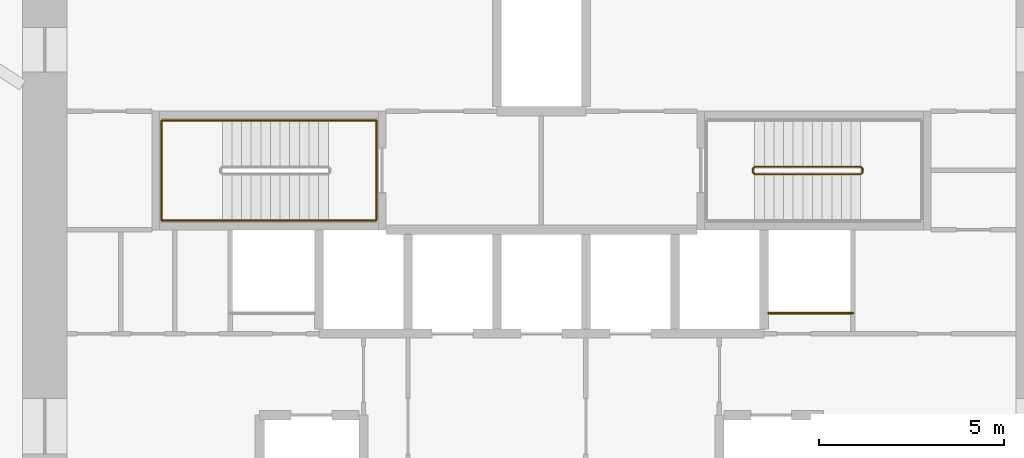
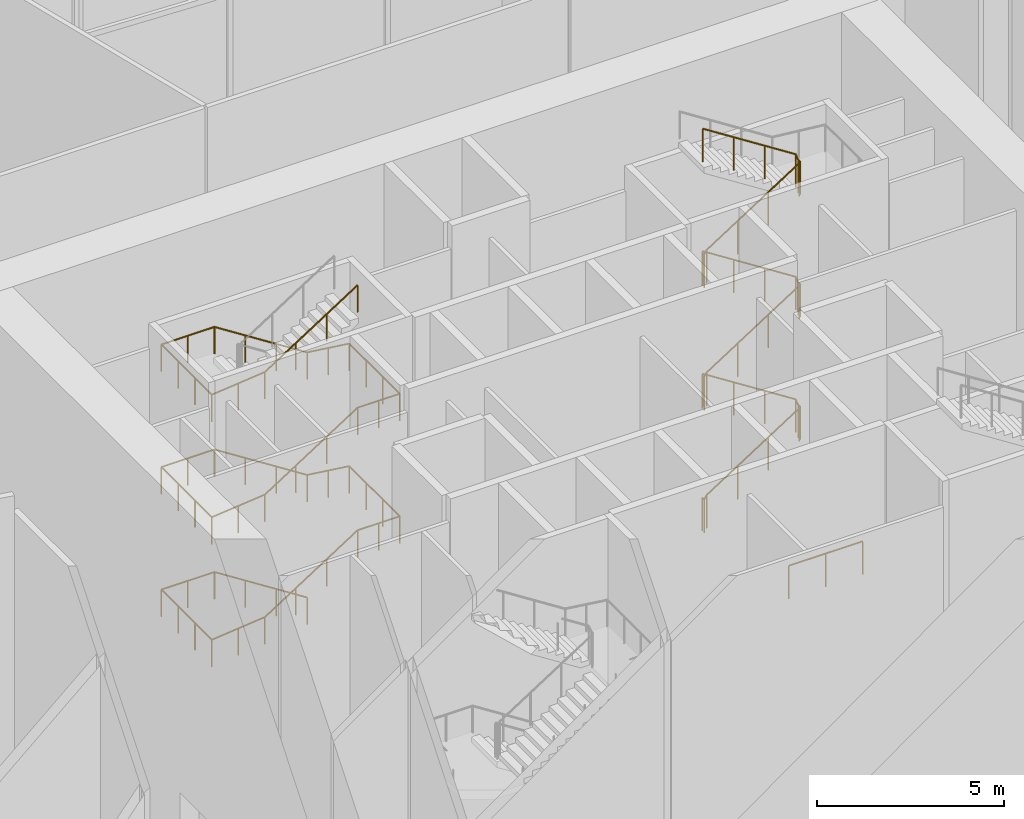
# One storey, part 18 of 21: 3 railings.
"""IFC4 building model written with IfcOpenShell, lengths in metres."""

from ifc_helpers import new_model, si_unit, direction, frame, origin, origin_2d, place, context, subcontext, project, spatial, circle, extrude, source, transform, mapped, material, type_object, element, save


model = new_model("IFC4")

# Units and contexts
model_context = context("Model", 3, precision=1e-05, world=origin(), true_north=direction((0.0, 1.0)))
body_context = subcontext(model_context, "Body", "Model", "MODEL_VIEW")
ifc_project = project(units=[si_unit("LENGTHUNIT", "METRE"), si_unit("AREAUNIT", "SQUARE_METRE"), si_unit("VOLUMEUNIT", "CUBIC_METRE"), si_unit("PLANEANGLEUNIT", "RADIAN"), si_unit("MASSUNIT", "GRAM", prefix="KILO")], contexts=[model_context])

# Site, building, storey
site_placement = place(None, origin())
site = spatial("IfcSite", under=ifc_project, at=site_placement, CompositionType="ELEMENT")
building_placement = place(site_placement, origin())
building = spatial("IfcBuilding", under=site, at=building_placement, Name="Embergate Tower", CompositionType="ELEMENT")
storey_placement = place(building_placement, frame((0.0, 0.0, 12.0)))
storey = spatial("IfcBuildingStorey", under=building, at=storey_placement, Name="L01", CompositionType="ELEMENT", Elevation=12.0)

# Railings
ifc_material_1 = material(Name="Stair handrail 900")
railing_type_1 = type_object("IfcRailingType", Name="Stair handrail 900", PredefinedType="HANDRAIL", material=ifc_material_1)
shared_shape_1 = source(origin(), body_context, "Body", "SweptSolid", [
    extrude(circle(Radius=0.02392578125, at=origin_2d()), frame((0.0, 0.0, 0.8759765625), z_axis=(-0.841899231129, 0.0, 0.539634769658), x_axis=(0.0, -1.0, 0.0)), (0.0, 0.0, 1.0), 3.397216796875),
    extrude(circle(Radius=0.02392578125, at=origin_2d()), frame((-2.860107421875, 0.0, 2.708984375), z_axis=(-1.0, 0.0, 0.0), x_axis=(0.0, -1.0, 0.0)), (0.0, 0.0, 1.0), 1.639892578125),
    extrude(circle(Radius=0.02392578125, at=origin_2d()), frame((-4.5, 0.0, 2.708984375), z_axis=(0.0, -1.0, 0.0), x_axis=(1.0, 0.0, 0.0)), (0.0, 0.0, 1.0), 2.699951171875),
    extrude(circle(Radius=0.02392578125, at=origin_2d()), frame((-4.5, -2.699951171875, 2.708984375), z_axis=(0.99487010061, 0.0, 0.101160678683), x_axis=(0.0, 1.0, 0.0)), (0.0, 0.0, 1.0), 1.6484375),
    extrude(circle(Radius=0.02392578125, at=origin_2d()), frame((-2.860107421875, -2.699951171875, 2.8759765625), z_axis=(0.841899231129, 0.0, 0.539634769658), x_axis=(0.0, 1.0, 0.0)), (0.0, 0.0, 1.0), 3.397216796875),
    extrude(circle(Radius=0.02392578125, at=origin_2d()), frame((0.0, -2.699951171875, 4.708984375), z_axis=(1.0, 0.0, 0.0), x_axis=(0.0, 1.0, 0.0)), (0.0, 0.0, 1.0), 1.300048828125),
    extrude(circle(Radius=0.02392578125, at=origin_2d()), frame((1.300048828125, -2.699951171875, 4.708984375), z_axis=(0.0, 1.0, 0.0), x_axis=(-1.0, 0.0, 0.0)), (0.0, 0.0, 1.0), 2.699951171875),
    extrude(circle(Radius=0.02392578125, at=origin_2d()), frame((1.300048828125, 0.0, 4.708984375), z_axis=(-0.991874434073, 0.0, 0.12722070206), x_axis=(0.0, -1.0, 0.0)), (0.0, 0.0, 1.0), 1.310791015625),
    extrude(circle(Radius=0.02392578125, at=origin_2d()), frame((0.0, 0.0, 4.8759765625), z_axis=(-0.841899231129, 0.0, 0.539634769658), x_axis=(0.0, -1.0, 0.0)), (0.0, 0.0, 1.0), 3.397216796875),
    extrude(circle(Radius=0.02392578125, at=origin_2d()), frame((-2.860107421875, 0.0, 6.708984375), z_axis=(-1.0, 0.0, 0.0), x_axis=(0.0, -1.0, 0.0)), (0.0, 0.0, 1.0), 1.639892578125),
    extrude(circle(Radius=0.02392578125, at=origin_2d()), frame((-4.5, 0.0, 6.708984375), z_axis=(0.0, -1.0, 0.0), x_axis=(1.0, 0.0, 0.0)), (0.0, 0.0, 1.0), 2.699951171875),
    extrude(circle(Radius=0.02392578125, at=origin_2d()), frame((-4.5, -2.699951171875, 6.708984375), z_axis=(0.99487010061, 0.0, 0.101160678683), x_axis=(0.0, 1.0, 0.0)), (0.0, 0.0, 1.0), 1.6484375),
    extrude(circle(Radius=0.02392578125, at=origin_2d()), frame((-2.860107421875, -2.699951171875, 6.8759765625), z_axis=(0.841899231129, 0.0, 0.539634769658), x_axis=(0.0, 1.0, 0.0)), (0.0, 0.0, 1.0), 3.397216796875),
    extrude(circle(Radius=0.02392578125, at=origin_2d()), frame((0.0, -2.699951171875, 8.708984375), z_axis=(1.0, 0.0, 0.0), x_axis=(0.0, 1.0, 0.0)), (0.0, 0.0, 1.0), 1.300048828125),
    extrude(circle(Radius=0.02392578125, at=origin_2d()), frame((1.300048828125, -2.699951171875, 8.708984375), z_axis=(0.0, 1.0, 0.0), x_axis=(-1.0, 0.0, 0.0)), (0.0, 0.0, 1.0), 2.699951171875),
    extrude(circle(Radius=0.02392578125, at=origin_2d()), frame((1.300048828125, 0.0, 8.708984375), z_axis=(-0.991874434073, 0.0, 0.12722070206), x_axis=(0.0, -1.0, 0.0)), (0.0, 0.0, 1.0), 1.310791015625),
    extrude(circle(Radius=0.02392578125, at=origin_2d()), frame((0.0, 0.0, 8.8759765625), z_axis=(-0.841899231129, 0.0, 0.539634769658), x_axis=(0.0, -1.0, 0.0)), (0.0, 0.0, 1.0), 3.397216796875),
    extrude(circle(Radius=0.02392578125, at=origin_2d()), frame((-2.860107421875, 0.0, 10.708984375), z_axis=(-1.0, 0.0, 0.0), x_axis=(0.0, -1.0, 0.0)), (0.0, 0.0, 1.0), 1.639892578125),
    extrude(circle(Radius=0.02392578125, at=origin_2d()), frame((-4.5, 0.0, 10.708984375), z_axis=(0.0, -1.0, 0.0), x_axis=(1.0, 0.0, 0.0)), (0.0, 0.0, 1.0), 2.699951171875),
    extrude(circle(Radius=0.02392578125, at=origin_2d()), frame((-4.5, -2.699951171875, 10.708984375), z_axis=(0.99487010061, 0.0, 0.101160678683), x_axis=(0.0, 1.0, 0.0)), (0.0, 0.0, 1.0), 1.6484375),
    extrude(circle(Radius=0.02392578125, at=origin_2d()), frame((-2.860107421875, -2.699951171875, 10.8759765625), z_axis=(0.841899231129, 0.0, 0.539634769658), x_axis=(0.0, 1.0, 0.0)), (0.0, 0.0, 1.0), 3.397216796875),
    extrude(circle(Radius=0.02099609375, at=origin_2d()), origin(), (0.0, 0.0, 1.0), 0.851806640625),
    extrude(circle(Radius=0.02099609375, at=origin_2d()), frame((-0.953369140625, 0.0, 0.611083984375)), (0.0, 0.0, 1.0), 0.851806640625),
    extrude(circle(Radius=0.02099609375, at=origin_2d()), frame((-1.90673828125, 0.0, 1.22216796875)), (0.0, 0.0, 1.0), 0.851806640625),
    extrude(circle(Radius=0.02099609375, at=origin_2d()), frame((-2.860107421875, 0.0, 1.833251953125)), (0.0, 0.0, 1.0), 0.851806640625),
    extrude(circle(Radius=0.02099609375, at=origin_2d()), frame((-3.68017578125, 0.0, 1.833251953125)), (0.0, 0.0, 1.0), 0.851806640625),
    extrude(circle(Radius=0.02099609375, at=origin_2d()), frame((-4.5, 0.0, 1.833251953125)), (0.0, 0.0, 1.0), 0.851806640625),
    extrude(circle(Radius=0.02099609375, at=origin_2d()), frame((-4.5, -0.89990234375, 1.833251953125)), (0.0, 0.0, 1.0), 0.851806640625),
    extrude(circle(Radius=0.02099609375, at=origin_2d()), frame((-4.5, -1.800048828125, 1.833251953125)), (0.0, 0.0, 1.0), 0.851806640625),
    extrude(circle(Radius=0.02099609375, at=origin_2d()), frame((-4.5, -2.699951171875, 1.833251953125)), (0.0, 0.0, 1.0), 0.851806640625),
    extrude(circle(Radius=0.02099609375, at=origin_2d()), frame((-3.68017578125, -2.699951171875, 1.91650390625)), (0.0, 0.0, 1.0), 0.851806640625),
    extrude(circle(Radius=0.02099609375, at=origin_2d()), frame((-2.860107421875, -2.699951171875, 2.0)), (0.0, 0.0, 1.0), 0.851806640625),
    extrude(circle(Radius=0.02099609375, at=origin_2d()), frame((-1.90673828125, -2.699951171875, 2.611083984375)), (0.0, 0.0, 1.0), 0.851806640625),
    extrude(circle(Radius=0.02099609375, at=origin_2d()), frame((-0.953369140625, -2.699951171875, 3.22216796875)), (0.0, 0.0, 1.0), 0.851806640625),
    extrude(circle(Radius=0.02099609375, at=origin_2d()), frame((0.0, -2.699951171875, 3.833251953125)), (0.0, 0.0, 1.0), 0.851806640625),
    extrude(circle(Radius=0.02099609375, at=origin_2d()), frame((0.64990234375, -2.699951171875, 3.833251953125)), (0.0, 0.0, 1.0), 0.851806640625),
    extrude(circle(Radius=0.02099609375, at=origin_2d()), frame((1.300048828125, -2.699951171875, 3.833251953125)), (0.0, 0.0, 1.0), 0.851806640625),
    extrude(circle(Radius=0.02099609375, at=origin_2d()), frame((1.300048828125, -1.800048828125, 3.833251953125)), (0.0, 0.0, 1.0), 0.851806640625),
    extrude(circle(Radius=0.02099609375, at=origin_2d()), frame((1.300048828125, -0.89990234375, 3.833251953125)), (0.0, 0.0, 1.0), 0.851806640625),
    extrude(circle(Radius=0.02099609375, at=origin_2d()), frame((1.300048828125, 0.0, 3.833251953125)), (0.0, 0.0, 1.0), 0.851806640625),
    extrude(circle(Radius=0.02099609375, at=origin_2d()), frame((0.64990234375, 0.0, 3.91650390625)), (0.0, 0.0, 1.0), 0.851806640625),
    extrude(circle(Radius=0.02099609375, at=origin_2d()), frame((0.0, 0.0, 4.0)), (0.0, 0.0, 1.0), 0.851806640625),
    extrude(circle(Radius=0.02099609375, at=origin_2d()), frame((-0.953369140625, 0.0, 4.611083984375)), (0.0, 0.0, 1.0), 0.851806640625),
    extrude(circle(Radius=0.02099609375, at=origin_2d()), frame((-1.90673828125, 0.0, 5.22216796875)), (0.0, 0.0, 1.0), 0.851806640625),
    extrude(circle(Radius=0.02099609375, at=origin_2d()), frame((-2.860107421875, 0.0, 5.833251953125)), (0.0, 0.0, 1.0), 0.851806640625),
    extrude(circle(Radius=0.02099609375, at=origin_2d()), frame((-3.68017578125, 0.0, 5.833251953125)), (0.0, 0.0, 1.0), 0.851806640625),
    extrude(circle(Radius=0.02099609375, at=origin_2d()), frame((-4.5, 0.0, 5.833251953125)), (0.0, 0.0, 1.0), 0.851806640625),
    extrude(circle(Radius=0.02099609375, at=origin_2d()), frame((-4.5, -0.89990234375, 5.833251953125)), (0.0, 0.0, 1.0), 0.851806640625),
    extrude(circle(Radius=0.02099609375, at=origin_2d()), frame((-4.5, -1.800048828125, 5.833251953125)), (0.0, 0.0, 1.0), 0.851806640625),
    extrude(circle(Radius=0.02099609375, at=origin_2d()), frame((-4.5, -2.699951171875, 5.833251953125)), (0.0, 0.0, 1.0), 0.851806640625),
    extrude(circle(Radius=0.02099609375, at=origin_2d()), frame((-3.68017578125, -2.699951171875, 5.91650390625)), (0.0, 0.0, 1.0), 0.851806640625),
    extrude(circle(Radius=0.02099609375, at=origin_2d()), frame((-2.860107421875, -2.699951171875, 6.0)), (0.0, 0.0, 1.0), 0.851806640625),
    extrude(circle(Radius=0.02099609375, at=origin_2d()), frame((-1.90673828125, -2.699951171875, 6.611083984375)), (0.0, 0.0, 1.0), 0.851806640625),
    extrude(circle(Radius=0.02099609375, at=origin_2d()), frame((-0.953369140625, -2.699951171875, 7.22216796875)), (0.0, 0.0, 1.0), 0.851806640625),
    extrude(circle(Radius=0.02099609375, at=origin_2d()), frame((0.0, -2.699951171875, 7.833251953125)), (0.0, 0.0, 1.0), 0.851806640625),
    extrude(circle(Radius=0.02099609375, at=origin_2d()), frame((0.64990234375, -2.699951171875, 7.833251953125)), (0.0, 0.0, 1.0), 0.851806640625),
    extrude(circle(Radius=0.02099609375, at=origin_2d()), frame((1.300048828125, -2.699951171875, 7.833251953125)), (0.0, 0.0, 1.0), 0.851806640625),
    extrude(circle(Radius=0.02099609375, at=origin_2d()), frame((1.300048828125, -1.800048828125, 7.833251953125)), (0.0, 0.0, 1.0), 0.851806640625),
    extrude(circle(Radius=0.02099609375, at=origin_2d()), frame((1.300048828125, -0.89990234375, 7.833251953125)), (0.0, 0.0, 1.0), 0.851806640625),
    extrude(circle(Radius=0.02099609375, at=origin_2d()), frame((1.300048828125, 0.0, 7.833251953125)), (0.0, 0.0, 1.0), 0.851806640625),
    extrude(circle(Radius=0.02099609375, at=origin_2d()), frame((0.64990234375, 0.0, 7.91650390625)), (0.0, 0.0, 1.0), 0.851806640625),
    extrude(circle(Radius=0.02099609375, at=origin_2d()), frame((0.0, 0.0, 8.0)), (0.0, 0.0, 1.0), 0.851806640625),
    extrude(circle(Radius=0.02099609375, at=origin_2d()), frame((-0.953369140625, 0.0, 8.611083984375)), (0.0, 0.0, 1.0), 0.851806640625),
    extrude(circle(Radius=0.02099609375, at=origin_2d()), frame((-1.90673828125, 0.0, 9.22216796875)), (0.0, 0.0, 1.0), 0.851806640625),
    extrude(circle(Radius=0.02099609375, at=origin_2d()), frame((-2.860107421875, 0.0, 9.833251953125)), (0.0, 0.0, 1.0), 0.851806640625),
    extrude(circle(Radius=0.02099609375, at=origin_2d()), frame((-3.68017578125, 0.0, 9.833251953125)), (0.0, 0.0, 1.0), 0.851806640625),
    extrude(circle(Radius=0.02099609375, at=origin_2d()), frame((-4.5, 0.0, 9.833251953125)), (0.0, 0.0, 1.0), 0.851806640625),
    extrude(circle(Radius=0.02099609375, at=origin_2d()), frame((-4.5, -0.89990234375, 9.833251953125)), (0.0, 0.0, 1.0), 0.851806640625),
    extrude(circle(Radius=0.02099609375, at=origin_2d()), frame((-4.5, -1.800048828125, 9.833251953125)), (0.0, 0.0, 1.0), 0.851806640625),
    extrude(circle(Radius=0.02099609375, at=origin_2d()), frame((-4.5, -2.699951171875, 9.833251953125)), (0.0, 0.0, 1.0), 0.851806640625),
    extrude(circle(Radius=0.02099609375, at=origin_2d()), frame((-3.68017578125, -2.699951171875, 9.91650390625)), (0.0, 0.0, 1.0), 0.851806640625),
    extrude(circle(Radius=0.02099609375, at=origin_2d()), frame((-2.860107421875, -2.699951171875, 10.0)), (0.0, 0.0, 1.0), 0.851806640625),
    extrude(circle(Radius=0.02099609375, at=origin_2d()), frame((-1.90673828125, -2.699951171875, 10.611083984375)), (0.0, 0.0, 1.0), 0.851806640625),
    extrude(circle(Radius=0.02099609375, at=origin_2d()), frame((-0.953369140625, -2.699951171875, 11.22216796875)), (0.0, 0.0, 1.0), 0.851806640625),
    extrude(circle(Radius=0.02099609375, at=origin_2d()), frame((0.0, -2.699951171875, 11.833251953125)), (0.0, 0.0, 1.0), 0.851806640625),
])
railing_1_placement = place(storey_placement, frame((-5.75, 8.25, 0.166748046875)))
element("IfcRailing", 1, at=railing_1_placement, inside=storey, type_object=railing_type_1, Name="L01 ST1 stair handrail 1", PredefinedType="HANDRAIL", context=body_context, shape_type="MappedRepresentation", body=[
    mapped(shared_shape_1, transform((0.0, 0.0, 0.0))),
])
ifc_material_2 = material(Name="Stair guard 1100")
railing_type_2 = type_object("IfcRailingType", Name="Stair guard 1100", PredefinedType="GUARDRAIL", material=ifc_material_2)
shared_shape_2 = source(origin(), body_context, "Body", "SweptSolid", [
    extrude(circle(Radius=0.02392578125, at=origin_2d()), frame((0.0, 0.0, 1.076171875), z_axis=(0.0, -1.0, 0.0), x_axis=(1.0, 0.0, 0.0)), (0.0, 0.0, 1.0), 0.099853515625),
    extrude(circle(Radius=0.02392578125, at=origin_2d()), frame((0.0, -0.099853515625, 1.076171875), z_axis=(0.27628659633, -0.27628659633, 0.920506074601), x_axis=(0.707106781187, 0.707106781187, 0.0)), (0.0, 0.0, 1.0), 0.18115234375),
    extrude(circle(Radius=0.02392578125, at=origin_2d()), frame((0.050048828125, -0.14990234375, 1.24267578125), z_axis=(0.841899231129, 0.0, 0.539634769658), x_axis=(0.0, 1.0, 0.0)), (0.0, 0.0, 1.0), 3.397216796875),
    extrude(circle(Radius=0.02392578125, at=origin_2d()), frame((2.91015625, -0.14990234375, 3.076171875), z_axis=(0.705375805398, 0.708833529934, 0.0), x_axis=(-0.708833529934, 0.705375805398, 0.0)), (0.0, 0.0, 1.0), 0.070556640625),
    extrude(circle(Radius=0.02392578125, at=origin_2d()), frame((2.9599609375, -0.099853515625, 3.076171875), z_axis=(0.0, 1.0, 0.0), x_axis=(-1.0, 0.0, 0.0)), (0.0, 0.0, 1.0), 0.099853515625),
    extrude(circle(Radius=0.02392578125, at=origin_2d()), frame((2.9599609375, 0.0, 3.076171875), z_axis=(-0.275041040955, 0.276389281352, 0.920848191041), x_axis=(-0.708833529934, -0.705375805398, 0.0)), (0.0, 0.0, 1.0), 0.18115234375),
    extrude(circle(Radius=0.02392578125, at=origin_2d()), frame((2.91015625, 0.050048828125, 3.24267578125), z_axis=(-0.841899231129, 0.0, 0.539634769658), x_axis=(0.0, -1.0, 0.0)), (0.0, 0.0, 1.0), 3.397216796875),
    extrude(circle(Radius=0.02392578125, at=origin_2d()), frame((0.050048828125, 0.050048828125, 5.076171875), z_axis=(-0.707106781187, -0.707106781187, 0.0), x_axis=(0.707106781187, -0.707106781187, 0.0)), (0.0, 0.0, 1.0), 0.07080078125),
    extrude(circle(Radius=0.02392578125, at=origin_2d()), frame((0.0, 0.0, 5.076171875), z_axis=(0.0, -1.0, 0.0), x_axis=(1.0, 0.0, 0.0)), (0.0, 0.0, 1.0), 0.099853515625),
    extrude(circle(Radius=0.02392578125, at=origin_2d()), frame((0.0, -0.099853515625, 5.076171875), z_axis=(0.27628659633, -0.27628659633, 0.920506074601), x_axis=(0.707106781187, 0.707106781187, 0.0)), (0.0, 0.0, 1.0), 0.18115234375),
    extrude(circle(Radius=0.02392578125, at=origin_2d()), frame((0.050048828125, -0.14990234375, 5.24267578125), z_axis=(0.841899231129, 0.0, 0.539634769658), x_axis=(0.0, 1.0, 0.0)), (0.0, 0.0, 1.0), 3.397216796875),
    extrude(circle(Radius=0.02392578125, at=origin_2d()), frame((2.91015625, -0.14990234375, 7.076171875), z_axis=(0.705375805398, 0.708833529934, 0.0), x_axis=(-0.708833529934, 0.705375805398, 0.0)), (0.0, 0.0, 1.0), 0.070556640625),
    extrude(circle(Radius=0.02392578125, at=origin_2d()), frame((2.9599609375, -0.099853515625, 7.076171875), z_axis=(0.0, 1.0, 0.0), x_axis=(-1.0, 0.0, 0.0)), (0.0, 0.0, 1.0), 0.099853515625),
    extrude(circle(Radius=0.02392578125, at=origin_2d()), frame((2.9599609375, 0.0, 7.076171875), z_axis=(-0.275041040955, 0.276389281352, 0.920848191041), x_axis=(-0.708833529934, -0.705375805398, 0.0)), (0.0, 0.0, 1.0), 0.18115234375),
    extrude(circle(Radius=0.02392578125, at=origin_2d()), frame((2.91015625, 0.050048828125, 7.24267578125), z_axis=(-0.841899231129, 0.0, 0.539634769658), x_axis=(0.0, -1.0, 0.0)), (0.0, 0.0, 1.0), 3.397216796875),
    extrude(circle(Radius=0.02392578125, at=origin_2d()), frame((0.050048828125, 0.050048828125, 9.076171875), z_axis=(-0.707106781187, -0.707106781187, 0.0), x_axis=(0.707106781187, -0.707106781187, 0.0)), (0.0, 0.0, 1.0), 0.07080078125),
    extrude(circle(Radius=0.02392578125, at=origin_2d()), frame((0.0, 0.0, 9.076171875), z_axis=(0.0, -1.0, 0.0), x_axis=(1.0, 0.0, 0.0)), (0.0, 0.0, 1.0), 0.099853515625),
    extrude(circle(Radius=0.02392578125, at=origin_2d()), frame((0.0, -0.099853515625, 9.076171875), z_axis=(0.27628659633, -0.27628659633, 0.920506074601), x_axis=(0.707106781187, 0.707106781187, 0.0)), (0.0, 0.0, 1.0), 0.18115234375),
    extrude(circle(Radius=0.02392578125, at=origin_2d()), frame((0.050048828125, -0.14990234375, 9.24267578125), z_axis=(0.841899231129, 0.0, 0.539634769658), x_axis=(0.0, 1.0, 0.0)), (0.0, 0.0, 1.0), 3.397216796875),
    extrude(circle(Radius=0.02392578125, at=origin_2d()), frame((2.91015625, -0.14990234375, 11.076171875), z_axis=(0.705375805398, 0.708833529934, 0.0), x_axis=(-0.708833529934, 0.705375805398, 0.0)), (0.0, 0.0, 1.0), 0.070556640625),
    extrude(circle(Radius=0.02392578125, at=origin_2d()), frame((2.9599609375, -0.099853515625, 11.076171875), z_axis=(0.0, 1.0, 0.0), x_axis=(-1.0, 0.0, 0.0)), (0.0, 0.0, 1.0), 0.099853515625),
    extrude(circle(Radius=0.02392578125, at=origin_2d()), frame((2.9599609375, 0.0, 11.076171875), z_axis=(-0.275041040955, 0.276389281352, 0.920848191041), x_axis=(-0.708833529934, -0.705375805398, 0.0)), (0.0, 0.0, 1.0), 0.18115234375),
    extrude(circle(Radius=0.02392578125, at=origin_2d()), frame((2.91015625, 0.050048828125, 11.24267578125), z_axis=(-0.841899231129, 0.0, 0.539634769658), x_axis=(0.0, -1.0, 0.0)), (0.0, 0.0, 1.0), 3.397216796875),
    extrude(circle(Radius=0.02099609375, at=origin_2d()), origin(), (0.0, 0.0, 1.0), 1.052001953125),
    extrude(circle(Radius=0.02099609375, at=origin_2d()), frame((0.0, -0.099853515625, 0.0)), (0.0, 0.0, 1.0), 1.052001953125),
    extrude(circle(Radius=0.02099609375, at=origin_2d()), frame((0.050048828125, -0.14990234375, 0.166748046875)), (0.0, 0.0, 1.0), 1.052001953125),
    extrude(circle(Radius=0.02099609375, at=origin_2d()), frame((1.00341796875, -0.14990234375, 0.77783203125)), (0.0, 0.0, 1.0), 1.052001953125),
    extrude(circle(Radius=0.02099609375, at=origin_2d()), frame((1.956787109375, -0.14990234375, 1.388916015625)), (0.0, 0.0, 1.0), 1.052001953125),
    extrude(circle(Radius=0.02099609375, at=origin_2d()), frame((2.91015625, -0.14990234375, 2.0)), (0.0, 0.0, 1.0), 1.052001953125),
    extrude(circle(Radius=0.02099609375, at=origin_2d()), frame((2.9599609375, -0.099853515625, 2.0)), (0.0, 0.0, 1.0), 1.052001953125),
    extrude(circle(Radius=0.02099609375, at=origin_2d()), frame((2.9599609375, 0.0, 2.0)), (0.0, 0.0, 1.0), 1.052001953125),
    extrude(circle(Radius=0.02099609375, at=origin_2d()), frame((2.91015625, 0.050048828125, 2.166748046875)), (0.0, 0.0, 1.0), 1.052001953125),
    extrude(circle(Radius=0.02099609375, at=origin_2d()), frame((1.956787109375, 0.050048828125, 2.77783203125)), (0.0, 0.0, 1.0), 1.052001953125),
    extrude(circle(Radius=0.02099609375, at=origin_2d()), frame((1.00341796875, 0.050048828125, 3.388916015625)), (0.0, 0.0, 1.0), 1.052001953125),
    extrude(circle(Radius=0.02099609375, at=origin_2d()), frame((0.050048828125, 0.050048828125, 4.0)), (0.0, 0.0, 1.0), 1.052001953125),
    extrude(circle(Radius=0.02099609375, at=origin_2d()), frame((0.0, 0.0, 4.0)), (0.0, 0.0, 1.0), 1.052001953125),
    extrude(circle(Radius=0.02099609375, at=origin_2d()), frame((0.0, -0.099853515625, 4.0)), (0.0, 0.0, 1.0), 1.052001953125),
    extrude(circle(Radius=0.02099609375, at=origin_2d()), frame((0.050048828125, -0.14990234375, 4.166748046875)), (0.0, 0.0, 1.0), 1.052001953125),
    extrude(circle(Radius=0.02099609375, at=origin_2d()), frame((1.00341796875, -0.14990234375, 4.77783203125)), (0.0, 0.0, 1.0), 1.052001953125),
    extrude(circle(Radius=0.02099609375, at=origin_2d()), frame((1.956787109375, -0.14990234375, 5.388916015625)), (0.0, 0.0, 1.0), 1.052001953125),
    extrude(circle(Radius=0.02099609375, at=origin_2d()), frame((2.91015625, -0.14990234375, 6.0)), (0.0, 0.0, 1.0), 1.052001953125),
    extrude(circle(Radius=0.02099609375, at=origin_2d()), frame((2.9599609375, -0.099853515625, 6.0)), (0.0, 0.0, 1.0), 1.052001953125),
    extrude(circle(Radius=0.02099609375, at=origin_2d()), frame((2.9599609375, 0.0, 6.0)), (0.0, 0.0, 1.0), 1.052001953125),
    extrude(circle(Radius=0.02099609375, at=origin_2d()), frame((2.91015625, 0.050048828125, 6.166748046875)), (0.0, 0.0, 1.0), 1.052001953125),
    extrude(circle(Radius=0.02099609375, at=origin_2d()), frame((1.956787109375, 0.050048828125, 6.77783203125)), (0.0, 0.0, 1.0), 1.052001953125),
    extrude(circle(Radius=0.02099609375, at=origin_2d()), frame((1.00341796875, 0.050048828125, 7.388916015625)), (0.0, 0.0, 1.0), 1.052001953125),
    extrude(circle(Radius=0.02099609375, at=origin_2d()), frame((0.050048828125, 0.050048828125, 8.0)), (0.0, 0.0, 1.0), 1.052001953125),
    extrude(circle(Radius=0.02099609375, at=origin_2d()), frame((0.0, 0.0, 8.0)), (0.0, 0.0, 1.0), 1.052001953125),
    extrude(circle(Radius=0.02099609375, at=origin_2d()), frame((0.0, -0.099853515625, 8.0)), (0.0, 0.0, 1.0), 1.052001953125),
    extrude(circle(Radius=0.02099609375, at=origin_2d()), frame((0.050048828125, -0.14990234375, 8.166748046875)), (0.0, 0.0, 1.0), 1.052001953125),
    extrude(circle(Radius=0.02099609375, at=origin_2d()), frame((1.00341796875, -0.14990234375, 8.77783203125)), (0.0, 0.0, 1.0), 1.052001953125),
    extrude(circle(Radius=0.02099609375, at=origin_2d()), frame((1.956787109375, -0.14990234375, 9.388916015625)), (0.0, 0.0, 1.0), 1.052001953125),
    extrude(circle(Radius=0.02099609375, at=origin_2d()), frame((2.91015625, -0.14990234375, 10.0)), (0.0, 0.0, 1.0), 1.052001953125),
    extrude(circle(Radius=0.02099609375, at=origin_2d()), frame((2.9599609375, -0.099853515625, 10.0)), (0.0, 0.0, 1.0), 1.052001953125),
    extrude(circle(Radius=0.02099609375, at=origin_2d()), frame((2.9599609375, 0.0, 10.0)), (0.0, 0.0, 1.0), 1.052001953125),
    extrude(circle(Radius=0.02099609375, at=origin_2d()), frame((2.91015625, 0.050048828125, 10.166748046875)), (0.0, 0.0, 1.0), 1.052001953125),
    extrude(circle(Radius=0.02099609375, at=origin_2d()), frame((1.956787109375, 0.050048828125, 10.77783203125)), (0.0, 0.0, 1.0), 1.052001953125),
    extrude(circle(Radius=0.02099609375, at=origin_2d()), frame((1.00341796875, 0.050048828125, 11.388916015625)), (0.0, 0.0, 1.0), 1.052001953125),
    extrude(circle(Radius=0.02099609375, at=origin_2d()), frame((0.050048828125, 0.050048828125, 12.0)), (0.0, 0.0, 1.0), 1.052001953125),
])
railing_2_placement = place(storey_placement, frame((5.699951171875, 6.949951171875, 0.0)))
element("IfcRailing", 2, at=railing_2_placement, inside=storey, type_object=railing_type_2, Name="L01 ST2 stair guard 1", PredefinedType="GUARDRAIL", context=body_context, shape_type="MappedRepresentation", body=[
    mapped(shared_shape_2, transform((0.0, 0.0, 0.0))),
])
ifc_material_3 = material(Name="Opening guard 1100")
railing_type_3 = type_object("IfcRailingType", Name="Opening guard 1100", PredefinedType="GUARDRAIL", material=ifc_material_3)
shared_shape_3 = source(origin(), body_context, "Body", "SweptSolid", [
    extrude(circle(Radius=0.02392578125, at=origin_2d()), frame((0.0, 0.0, 1.076171875), z_axis=(1.0, 0.0, 0.0), x_axis=(0.0, 1.0, 0.0)), (0.0, 0.0, 1.0), 2.27490234375),
    extrude(circle(Radius=0.02099609375, at=origin_2d()), origin(), (0.0, 0.0, 1.0), 1.052001953125),
    extrude(circle(Radius=0.02099609375, at=origin_2d()), frame((1.137451171875, 0.0, 0.0)), (0.0, 0.0, 1.0), 1.052001953125),
    extrude(circle(Radius=0.02099609375, at=origin_2d()), frame((2.27490234375, 0.0, 0.0)), (0.0, 0.0, 1.0), 1.052001953125),
])
railing_3_placement = place(storey_placement, frame((6.125, 3.050048828125, 0.0)))
element("IfcRailing", 3, at=railing_3_placement, inside=storey, type_object=railing_type_3, Name="Riser opening guard", PredefinedType="GUARDRAIL", context=body_context, shape_type="MappedRepresentation", body=[
    mapped(shared_shape_3, transform((0.0, 0.0, 0.0))),
])

save(model, "model.ifc")
